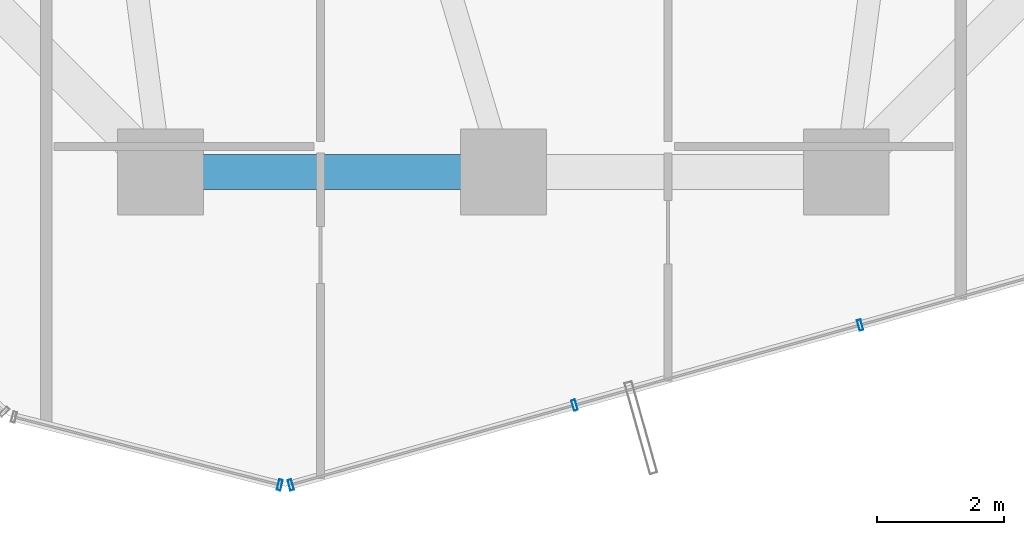
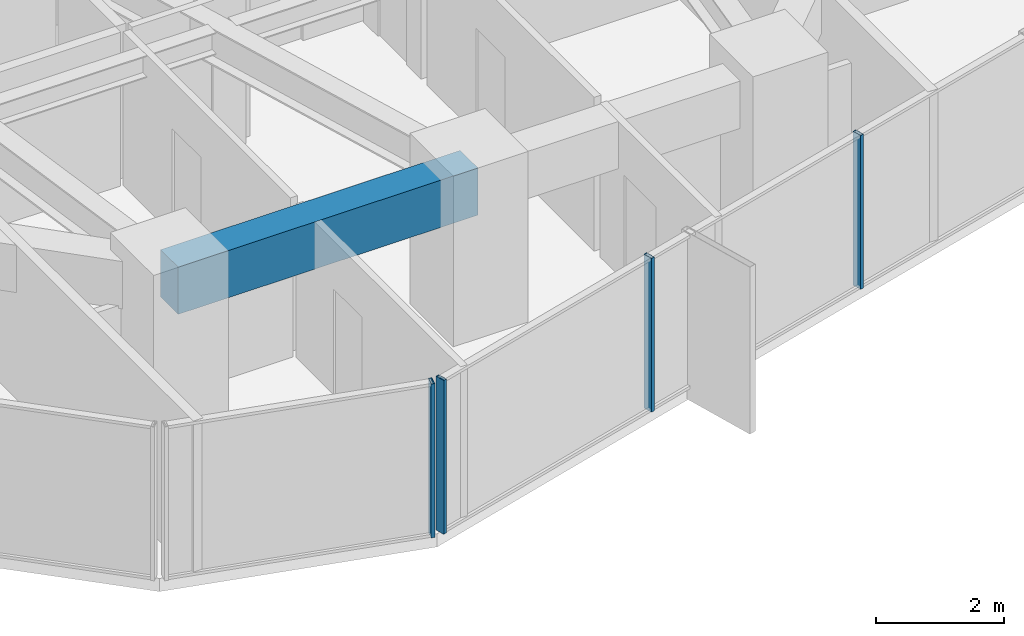
# One storey, part 7 of 39: 4 members, 1 beam, 2 elements without a shape of their own.
"""IFC4 building model written with IfcOpenShell, lengths in metres."""

import ifcopenshell
import ifcopenshell.guid

model = None  # the IFC model being written
_history = None  # IfcOwnerHistory: only IFC2X3 demands one
_inside = {}  # id of a spatial element -> (the spatial element, [elements in it])
_under = {}  # id of a project, library or spatial element -> (it, [spatial elements below it])
_declared = {}  # id of a project -> (the project, [libraries it declares])
_typed = {}  # id of a type object -> (the type object, [elements of that type])
_made_of = {}  # id of a material, layer set ... -> (it, [elements and type objects made of it])


def new_model(schema):
    """Start an empty IFC model of exactly this schema.

    Asked for "IFC4X3", IfcOpenShell would pick the latest addendum, in which some entities
    have other attributes; the version numbers below select the first issue.
    IFC2X3 requires an IfcOwnerHistory on every rooted entity: one is made here for all.
    """
    global model, _history
    if schema == "IFC4X3":
        model = ifcopenshell.file(schema_version=(4, 3, 0, 0))
    else:
        model = ifcopenshell.file(schema=schema)
    _inside.clear()
    _under.clear()
    _declared.clear()
    _typed.clear()
    _made_of.clear()
    _history = None
    if model.schema == "IFC2X3":
        org = make("IfcOrganization", Name="unknown")
        user = make(
            "IfcPersonAndOrganization",
            ThePerson=make("IfcPerson", FamilyName="unknown"),
            TheOrganization=org,
        )
        app = make(
            "IfcApplication",
            ApplicationDeveloper=org,
            Version="unknown",
            ApplicationFullName="unknown",
            ApplicationIdentifier="unknown",
        )
        _history = make(
            "IfcOwnerHistory",
            OwningUser=user,
            OwningApplication=app,
            ChangeAction="ADDED",
            CreationDate=0,
        )
    return model


def make(cls, **values):
    """One entity of the class cls with the attributes given. An attribute that is None is left unset."""
    return model.create_entity(
        cls, **{name: value for name, value in values.items() if value is not None}
    )


def rooted(cls, **values):
    """An entity with a GlobalId (a new one), such as an element, a storey or a relation."""
    return make(cls, GlobalId=ifcopenshell.guid.new(), OwnerHistory=_history, **values)


def si_unit(unit_type, name, prefix=None):
    """IfcSIUnit, for example si_unit("LENGTHUNIT", "METRE", prefix="MILLI")."""
    return make("IfcSIUnit", UnitType=unit_type, Prefix=prefix, Name=name)


def assignment(units):
    """IfcUnitAssignment: the units of a project."""
    return None if units is None else make("IfcUnitAssignment", Units=units)


def point(xyz):
    """IfcCartesianPoint."""
    return None if xyz is None else make("IfcCartesianPoint", Coordinates=xyz)


def direction(xyz):
    """IfcDirection."""
    return None if xyz is None else make("IfcDirection", DirectionRatios=xyz)


def frame(location, z_axis=None, x_axis=None):
    """IfcAxis2Placement3D, a coordinate frame: its origin and axes. An axis left out is left unset."""
    return make(
        "IfcAxis2Placement3D",
        Location=point(location),
        Axis=direction(z_axis),
        RefDirection=direction(x_axis),
    )


def frame_2d(location, x_axis=None):
    """IfcAxis2Placement2D, a coordinate frame in the plane: its origin and x axis."""
    return make(
        "IfcAxis2Placement2D", Location=point(location), RefDirection=direction(x_axis)
    )


def origin():
    """The frame at (0, 0, 0) with its axes left unset."""
    return frame((0.0, 0.0, 0.0))


def origin_2d():
    """The frame at (0, 0) in the plane with its x axis left unset."""
    return frame_2d((0.0, 0.0))


def place(relative_to, where):
    """IfcLocalPlacement: puts the frame where relative to a parent placement (None: the world)."""
    return make(
        "IfcLocalPlacement", PlacementRelTo=relative_to, RelativePlacement=where
    )


def context(
    kind, dimensions, precision=None, world=None, true_north=None, identifier=None
):
    """IfcGeometricRepresentationContext, for example the 3D "Model" context."""
    return make(
        "IfcGeometricRepresentationContext",
        ContextIdentifier=identifier,
        ContextType=kind,
        CoordinateSpaceDimension=dimensions,
        Precision=precision,
        WorldCoordinateSystem=world,
        TrueNorth=true_north,
    )


def subcontext(parent, identifier, kind, view, scale=None):
    """IfcGeometricRepresentationSubContext, for example "Body" below "Model"."""
    return make(
        "IfcGeometricRepresentationSubContext",
        ContextIdentifier=identifier,
        ContextType=kind,
        ParentContext=parent,
        TargetScale=scale,
        TargetView=view,
    )


def project(units=None, contexts=None):
    """IfcProject with its units and contexts."""
    return rooted(
        "IfcProject",
        Name="project",
        RepresentationContexts=contexts,
        UnitsInContext=assignment(units),
    )


def spatial(cls, under=None, at=None, **own):
    """A site, building, storey or space (cls), placed at a placement, below another one or the project."""
    s = rooted(cls, ObjectPlacement=at, **own)
    if under is not None:
        _under.setdefault(under.id(), (under, []))[1].append(s)
    return s


def profile(cls, at=None, kind="AREA", **sizes):
    """A parametric profile (cls). Its sizes go by their IFC names, for example OverallWidth=200.0."""
    return make(cls, ProfileType=kind, Position=at, **sizes)


def rectangle(**sizes):
    """IfcRectangleProfileDef."""
    return profile("IfcRectangleProfileDef", **sizes)


def hollow_rectangle(**sizes):
    """IfcRectangleHollowProfileDef."""
    return profile("IfcRectangleHollowProfileDef", **sizes)


def extrude(swept, where, along, depth):
    """IfcExtrudedAreaSolid: the profile swept, set in the frame where, extruded along a direction by depth."""
    return make(
        "IfcExtrudedAreaSolid",
        SweptArea=swept,
        Position=where,
        ExtrudedDirection=direction(along),
        Depth=depth,
    )


def shape(context_of_items, identifier, shape_type, items):
    """IfcShapeRepresentation: the items that make up one representation, for example the "Body"."""
    return make(
        "IfcShapeRepresentation",
        ContextOfItems=context_of_items,
        RepresentationIdentifier=identifier,
        RepresentationType=shape_type,
        Items=items,
    )


def source(mapping_origin, context_of_items, identifier, shape_type, items):
    """IfcRepresentationMap: a shape defined once, which mapped items show again and again."""
    return make(
        "IfcRepresentationMap",
        MappingOrigin=mapping_origin,
        MappedRepresentation=shape(context_of_items, identifier, shape_type, items),
    )


def transform(
    local_origin,
    x_axis=None,
    y_axis=None,
    z_axis=None,
    scale=None,
    scale2=None,
    scale3=None,
    uniform=True,
):
    """IfcCartesianTransformationOperator3D, or its non-uniform kind. x_axis, y_axis, z_axis: its Axis1, 2, 3."""
    if uniform:
        return make(
            "IfcCartesianTransformationOperator3D",
            Axis1=direction(x_axis),
            Axis2=direction(y_axis),
            LocalOrigin=point(local_origin),
            Scale=scale,
            Axis3=direction(z_axis),
        )
    return make(
        "IfcCartesianTransformationOperator3DnonUniform",
        Axis1=direction(x_axis),
        Axis2=direction(y_axis),
        LocalOrigin=point(local_origin),
        Scale=scale,
        Axis3=direction(z_axis),
        Scale2=scale2,
        Scale3=scale3,
    )


def mapped(mapping_source, mapping_target):
    """IfcMappedItem: shows the shape of a source again, moved by a transform."""
    return make(
        "IfcMappedItem", MappingSource=mapping_source, MappingTarget=mapping_target
    )


def material(Name=None, Category=None):
    """IfcMaterial."""
    return make("IfcMaterial", Name=Name, Category=Category)


def layer(
    of_material, thickness, ventilated=None, Name=None, Category=None, Priority=None
):
    """IfcMaterialLayer: one layer of a wall or slab, of a material (None: an air gap)."""
    return make(
        "IfcMaterialLayer",
        Material=of_material,
        LayerThickness=thickness,
        IsVentilated=ventilated,
        Name=Name,
        Category=Category,
        Priority=Priority,
    )


def layer_set(layers, Name=None):
    """IfcMaterialLayerSet."""
    return make("IfcMaterialLayerSet", MaterialLayers=layers, LayerSetName=Name)


def material_profile(
    of_material, cross_section, Name=None, Category=None, Priority=None
):
    """IfcMaterialProfile: a cross section and its material."""
    return make(
        "IfcMaterialProfile",
        Name=Name,
        Material=of_material,
        Profile=cross_section,
        Priority=Priority,
        Category=Category,
    )


def profile_set(profiles, Name=None, composite=None):
    """IfcMaterialProfileSet."""
    return make(
        "IfcMaterialProfileSet",
        Name=Name,
        MaterialProfiles=profiles,
        CompositeProfile=composite,
    )


def made_of(thing, what):
    """Note that an element or type object is made of a material, layer set ...; save() writes the relation."""
    if what is not None:
        _made_of.setdefault(what.id(), (what, []))[1].append(thing)
    return thing


def type_object(cls, material=None, **own):
    """A type object (cls), such as IfcWallType, which elements share."""
    return made_of(rooted(cls, **own), material)


def element(
    cls,
    number,
    at=None,
    inside=None,
    cuts=None,
    type_object=None,
    material=None,
    context=None,
    identifier="Body",
    shape_type=None,
    held_by="IfcProductDefinitionShape",
    body=None,
    shapes=None,
    **own,
):
    """One element of the class cls, such as IfcWall. Its Tag is "e" and its number.

    at: its placement. inside: the storey or other place that contains it. cuts: it is an
    opening in that element (IfcRelVoidsElement). A single representation is given by context,
    identifier, shape_type and body (its items); several are given by shapes. held_by: the class
    of the entity that holds the representations. save() writes the other relations.
    """
    e = rooted(cls, Tag="e%d" % number, ObjectPlacement=at, **own)
    if body is not None:
        shapes = [shape(context, identifier, shape_type, body)]
    if shapes is not None:
        e.Representation = make(held_by, Representations=shapes)
    if inside is not None:
        _inside.setdefault(inside.id(), (inside, []))[1].append(e)
    if cuts is not None:
        rooted(
            "IfcRelVoidsElement", RelatingBuildingElement=cuts, RelatedOpeningElement=e
        )
    if type_object is not None:
        _typed.setdefault(type_object.id(), (type_object, []))[1].append(e)
    return made_of(e, material)


def aggregate(whole, parts):
    """IfcRelAggregates: a whole, such as a stair, and the parts it consists of."""
    return rooted("IfcRelAggregates", RelatingObject=whole, RelatedObjects=parts)


def save(model, path):
    """Write the relations noted so far, then the file.

    IfcRelAggregates (storeys below a building ...), IfcRelContainedInSpatialStructure (elements
    in a storey), IfcRelDefinesByType, IfcRelAssociatesMaterial and IfcRelDeclares: one each for
    every whole, place, type object, material and project.
    """
    for whole, parts in _under.values():
        aggregate(whole, parts)
    for where, things in _inside.values():
        rooted(
            "IfcRelContainedInSpatialStructure",
            RelatedElements=things,
            RelatingStructure=where,
        )
    for kind, things in _typed.values():
        rooted("IfcRelDefinesByType", RelatedObjects=things, RelatingType=kind)
    for what, things in _made_of.values():
        rooted("IfcRelAssociatesMaterial", RelatedObjects=things, RelatingMaterial=what)
    for by, libraries in _declared.values():
        rooted("IfcRelDeclares", RelatingContext=by, RelatedDefinitions=libraries)
    model.write(path)


model = new_model("IFC4")

# Units and contexts
model_context = context("Model", 3, precision=1e-05, world=origin(), true_north=direction((0.0, 1.0)))
body_context = subcontext(model_context, "Body", "Model", "MODEL_VIEW")
ifc_project = project(units=[si_unit("LENGTHUNIT", "METRE"), si_unit("AREAUNIT", "SQUARE_METRE"), si_unit("VOLUMEUNIT", "CUBIC_METRE"), si_unit("PLANEANGLEUNIT", "RADIAN"), si_unit("MASSUNIT", "GRAM", prefix="KILO")], contexts=[model_context])

# Site, building, storey
site_placement = place(None, origin())
site = spatial("IfcSite", under=ifc_project, at=site_placement, CompositionType="ELEMENT")
building_placement = place(site_placement, origin())
building = spatial("IfcBuilding", under=site, at=building_placement, Name="Veraguas Prism Commons", CompositionType="ELEMENT")
storey_placement = place(building_placement, frame((0.0, 0.0, 77.10009765625)))
storey = spatial("IfcBuildingStorey", under=building, at=storey_placement, Name="L21", CompositionType="ELEMENT", Elevation=77.10009765625)

# Beam
ifc_material_1 = material(Name="Concrete C50/60", Category="concrete")
ifc_material_profile_1 = material_profile(ifc_material_1, rectangle(XDim=0.550048828125, YDim=0.89990234375, at=origin_2d()), Name="RC550X900")
ifc_profile_set_1 = profile_set([ifc_material_profile_1], Name="Concrete C50/60")
beam_type = type_object("IfcBeamType", Name="Perimeter Spandrel Lower RC 550x900", PredefinedType="SPANDREL", material=ifc_profile_set_1)
beam_placement = place(storey_placement, frame((18.60009765625, 6.39990234375, 2.47998046875), z_axis=(1.0, 0.0, 0.0), x_axis=(0.0, 1.0, 0.0)))
element("IfcBeam", 1, at=beam_placement, inside=storey, type_object=beam_type, Name="Perimeter Spandrel Beam L21-SP10", PredefinedType="SPANDREL", context=body_context, shape_type="SweptSolid", body=[
    extrude(rectangle(XDim=0.550048828125, YDim=0.89990234375, at=origin_2d()), origin(), (0.0, 0.0, 1.0), 5.39990234375),
])

# Curtain wall, members
ifc_material_2 = material(Name="Anodised aluminium EN AW-6063 T6", Category="aluminium")
ifc_layer = layer(ifc_material_2, 0.169921875, Name="Unitised Flush Curtain Wall Zone 1", Category="aluminium")
ifc_layer_set = layer_set([ifc_layer], Name="Anodised aluminium EN AW-6063 T6")
curtain_wall_type = type_object("IfcCurtainWallType", Name="Unitised Flush Curtain Wall Zone 1", PredefinedType="NOTDEFINED", material=ifc_layer_set)
curtain_wall_1_placement = place(storey_placement, origin())
curtain_wall_1 = element("IfcCurtainWall", 2, at=curtain_wall_1_placement, inside=storey, type_object=curtain_wall_type, Name="Tower Facade Curtain Wall L21-F5", PredefinedType="NOTDEFINED")
ifc_material_profile_2 = material_profile(ifc_material_2, hollow_rectangle(XDim=0.06005859375, YDim=0.169921875, WallThickness=0.00390625, at=origin_2d()), Name="AL60X170X4")
ifc_profile_set_2 = profile_set([ifc_material_profile_2], Name="Anodised aluminium EN AW-6063 T6")
member_type = type_object("IfcMemberType", Name="Curtain Wall Mullion Lower AL 60x170x4", PredefinedType="MULLION", material=ifc_profile_set_2)
shared_shape = source(origin(), body_context, "Body", "SweptSolid", [
    extrude(hollow_rectangle(XDim=0.06005859375, YDim=0.169921875, WallThickness=0.00390625, at=origin_2d()), origin(), (0.0, 0.0, 1.0), 2.929931640625),
])
member_1_placement = place(storey_placement, frame((20.652099609375, 1.47216796875, 0.0), z_axis=(0.0, 0.0, 1.0), x_axis=(0.962785673447, 0.270266067062, 0.0)))
member_1 = element("IfcMember", 3, at=member_1_placement, type_object=member_type, Name="CW-Z1 Mullion 1", PredefinedType="MULLION", context=body_context, shape_type="MappedRepresentation", body=[
    mapped(shared_shape, transform((0.0, 0.0, 0.0), scale=1.0)),
])
member_2_placement = place(storey_placement, frame((25.1201171875, 2.7265625, 0.0), z_axis=(0.0, 0.0, 1.0), x_axis=(0.962785673447, 0.270266067062, 0.0)))
member_2 = element("IfcMember", 4, at=member_2_placement, type_object=member_type, Name="CW-Z1 Mullion 2", PredefinedType="MULLION", context=body_context, shape_type="MappedRepresentation", body=[
    mapped(shared_shape, transform((0.0, 0.0, 0.0), scale=1.0)),
])
member_3_placement = place(storey_placement, frame((29.617431640625, 3.989013671875, 0.0), z_axis=(0.0, 0.0, 1.0), x_axis=(0.962785673447, 0.270266067062, 0.0)))
member_3 = element("IfcMember", 5, at=member_3_placement, type_object=member_type, Name="CW-Z1 Mullion 3", PredefinedType="MULLION", context=body_context, shape_type="MappedRepresentation", body=[
    mapped(shared_shape, transform((0.0, 0.0, 0.0), scale=1.0)),
])
aggregate(curtain_wall_1, [member_1, member_2, member_3])

# Curtain wall, member
curtain_wall_2_placement = place(storey_placement, origin())
curtain_wall_2 = element("IfcCurtainWall", 6, at=curtain_wall_2_placement, inside=storey, type_object=curtain_wall_type, Name="Chamfer Curtain Wall L21-C5", PredefinedType="NOTDEFINED")
member_4_placement = place(storey_placement, frame((20.47802734375, 1.47021484375, 0.0), z_axis=(0.0, 0.0, 1.0), x_axis=(0.968927294991, -0.247345703463, 0.0)))
member_4 = element("IfcMember", 7, at=member_4_placement, type_object=member_type, Name="CW-Z1 Mullion 2", PredefinedType="MULLION", context=body_context, shape_type="MappedRepresentation", body=[
    mapped(shared_shape, transform((0.0, 0.0, 0.0), scale=1.0)),
])
aggregate(curtain_wall_2, [member_4])

save(model, "model.ifc")
